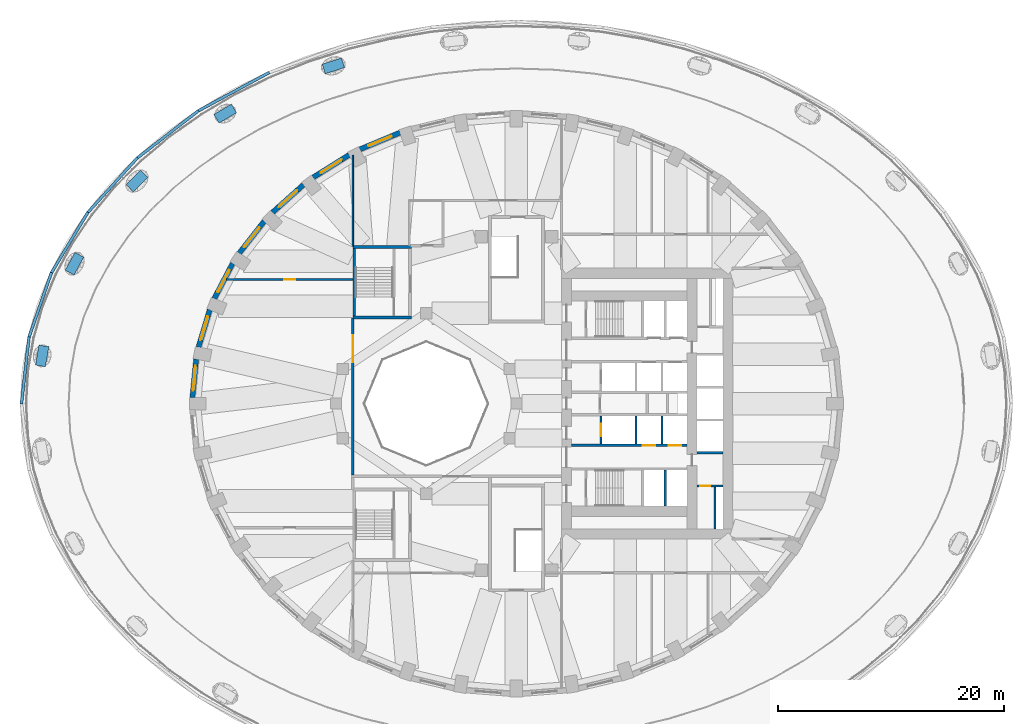
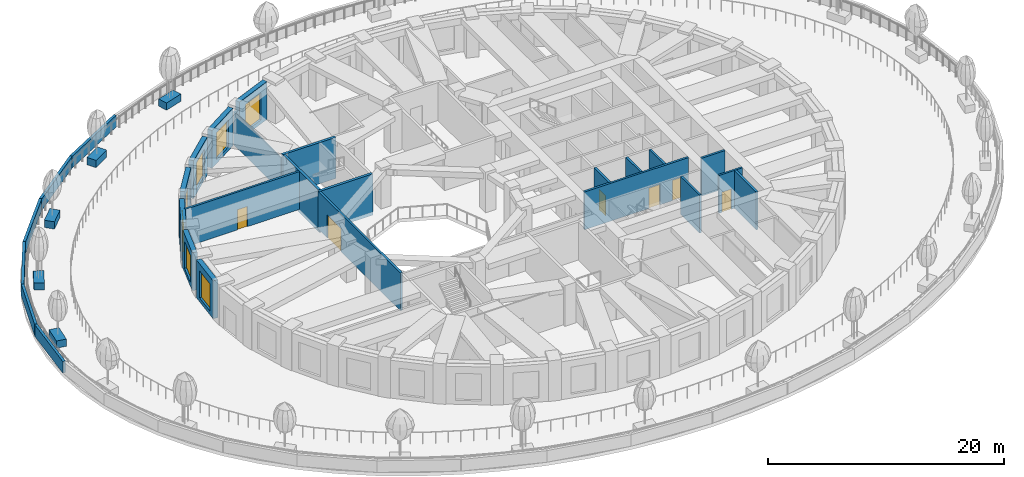
# One storey, part 5 of 17: 32 walls, 7 windows, 6 doors, 13 openings.
"""IFC4 building model written with IfcOpenShell, lengths in metres."""

from ifc_helpers import new_model, si_unit, direction, frame, frame_2d, origin, place, context, subcontext, project, spatial, rectangle, extrude, material, layer, layer_set, constituent, constituent_set, type_object, element, fill, save


model = new_model("IFC4")

# Units and contexts
model_context = context("Model", 3, precision=1e-05, world=origin(), true_north=direction((0.0, 1.0)))
body_context = subcontext(model_context, "Body", "Model", "MODEL_VIEW")
ifc_project = project(units=[si_unit("LENGTHUNIT", "METRE"), si_unit("AREAUNIT", "SQUARE_METRE"), si_unit("VOLUMEUNIT", "CUBIC_METRE"), si_unit("PLANEANGLEUNIT", "RADIAN"), si_unit("MASSUNIT", "GRAM", prefix="KILO")], contexts=[model_context])

# Site, building, storey
site_placement = place(None, origin())
site = spatial("IfcSite", under=ifc_project, at=site_placement, CompositionType="ELEMENT")
building_placement = place(site_placement, origin())
building = spatial("IfcBuilding", under=site, at=building_placement, Name="Taillehof Tower", CompositionType="ELEMENT")
storey_placement = place(building_placement, frame((0.0, 0.0, 17.5)))
storey = spatial("IfcBuildingStorey", under=building, at=storey_placement, Name="L03", CompositionType="ELEMENT", Elevation=17.5)

# Wall, opening, window
ifc_material_1 = material(Name="Brick masonry", Category="masonry")
ifc_layer_1 = layer(ifc_material_1, 0.449951171875)
ifc_layer_set_1 = layer_set([ifc_layer_1], Name="Brick infill wall 450")
wall_type_1 = type_object("IfcWallType", Name="Brick infill wall 450", PredefinedType="SOLIDWALL", material=ifc_layer_set_1)
wall_1_placement = place(storey_placement, frame((-10.3154296875, 24.02099609375, 0.0), z_axis=(0.0, 0.0, 1.0), x_axis=(-0.923031964282, -0.384723267966, 0.0)))
wall_1 = element("IfcWall", 1, at=wall_1_placement, inside=storey, type_object=wall_type_1, Name="Brick wall L03 bay 12", PredefinedType="SOLIDWALL", context=body_context, shape_type="SweptSolid", body=[
    extrude(rectangle(XDim=3.8564453125, YDim=0.449951171875, at=frame_2d((1.92822265625, 0.0))), origin(), (0.0, 0.0, 1.0), 3.919921875),
])
opening_1_placement = place(wall_1_placement, frame((0.828125, 0.0, 0.39990234375)))
opening_1 = element("IfcOpeningElement", 2, at=opening_1_placement, cuts=wall_1, Name="Opening W9", PredefinedType="OPENING", context=body_context, shape_type="SweptSolid", body=[
    extrude(rectangle(XDim=2.199951171875, YDim=2.800048828125, at=frame_2d((1.10009765625, 1.39990234375))), frame((0.0, 0.23486328125, 0.0), z_axis=(0.0, -1.0, 0.0), x_axis=(1.0, 0.0, 0.0)), (0.0, 0.0, 1.0), 0.469970703125),
])
ifc_material_2 = material(Name="Aluminium window frame with clear double glazing", Category="aluminium")
window_type = type_object("IfcWindowType", Name="Deep-set window 2200x2800", PartitioningType="SINGLE_PANEL", PredefinedType="WINDOW", material=ifc_material_2)
window_1_placement = place(opening_1_placement, origin())
window_1 = element("IfcWindow", 3, at=window_1_placement, inside=storey, type_object=window_type, Name="W9", OverallHeight=2.800048828125, OverallWidth=2.199951171875, PartitioningType="SINGLE_PANEL", PredefinedType="WINDOW", context=body_context, shape_type="SweptSolid", body=[
    extrude(rectangle(XDim=2.199951171875, YDim=2.800048828125, at=frame_2d((1.10009765625, 1.39990234375))), frame((0.0, 0.034912109375, 0.0), z_axis=(0.0, -1.0, 0.0), x_axis=(1.0, 0.0, 0.0)), (0.0, 0.0, 1.0), 0.06005859375),
])
fill(opening_1, window_1)

wall_2_placement = place(storey_placement, frame((-14.81689453125, 22.050537109375, 0.0), z_axis=(0.0, 0.0, 1.0), x_axis=(-0.847635480093, -0.530579016629, 0.0)))
wall_2 = element("IfcWall", 4, at=wall_2_placement, inside=storey, type_object=wall_type_1, Name="Brick wall L03 bay 13", PredefinedType="SOLIDWALL", context=body_context, shape_type="SweptSolid", body=[
    extrude(rectangle(XDim=3.782470703125, YDim=0.449951171875, at=frame_2d((1.89111328125, 0.0))), origin(), (0.0, 0.0, 1.0), 3.919921875),
])
opening_2_placement = place(wall_2_placement, frame((0.791259765625, 0.0, 0.39990234375)))
opening_2 = element("IfcOpeningElement", 5, at=opening_2_placement, cuts=wall_2, Name="Opening W9", PredefinedType="OPENING", context=body_context, shape_type="SweptSolid", body=[
    extrude(rectangle(XDim=2.199951171875, YDim=2.800048828125, at=frame_2d((1.10009765625, 1.39990234375))), frame((0.0, 0.23486328125, 0.0), z_axis=(0.0, -1.0, 0.0), x_axis=(1.0, 0.0, 0.0)), (0.0, 0.0, 1.0), 0.469970703125),
])
window_2_placement = place(opening_2_placement, origin())
window_2 = element("IfcWindow", 6, at=window_2_placement, inside=storey, type_object=window_type, Name="W9", OverallHeight=2.800048828125, OverallWidth=2.199951171875, PartitioningType="SINGLE_PANEL", PredefinedType="WINDOW", context=body_context, shape_type="SweptSolid", body=[
    extrude(rectangle(XDim=2.199951171875, YDim=2.800048828125, at=frame_2d((1.10009765625, 1.39990234375))), frame((0.0, 0.034912109375, 0.0), z_axis=(0.0, -1.0, 0.0), x_axis=(1.0, 0.0, 0.0)), (0.0, 0.0, 1.0), 0.06005859375),
])
fill(opening_2, window_2)

wall_3_placement = place(storey_placement, frame((-18.87060546875, 19.406982421875, 0.0), z_axis=(0.0, 0.0, 1.0), x_axis=(-0.745526233716, -0.66647628228, 0.0)))
wall_3 = element("IfcWall", 7, at=wall_3_placement, inside=storey, type_object=wall_type_1, Name="Brick wall L03 bay 14", PredefinedType="SOLIDWALL", context=body_context, shape_type="SweptSolid", body=[
    extrude(rectangle(XDim=3.69677734375, YDim=0.449951171875, at=frame_2d((1.848388671875, 0.0))), origin(), (0.0, 0.0, 1.0), 3.919921875),
])
opening_3_placement = place(wall_3_placement, frame((0.74853515625, 0.0, 0.39990234375)))
opening_3 = element("IfcOpeningElement", 8, at=opening_3_placement, cuts=wall_3, Name="Opening W9", PredefinedType="OPENING", context=body_context, shape_type="SweptSolid", body=[
    extrude(rectangle(XDim=2.199951171875, YDim=2.800048828125, at=frame_2d((1.10009765625, 1.39990234375))), frame((0.0, 0.23486328125, 0.0), z_axis=(0.0, -1.0, 0.0), x_axis=(1.0, 0.0, 0.0)), (0.0, 0.0, 1.0), 0.469970703125),
])
window_3_placement = place(opening_3_placement, origin())
window_3 = element("IfcWindow", 9, at=window_3_placement, inside=storey, type_object=window_type, Name="W9", OverallHeight=2.800048828125, OverallWidth=2.199951171875, PartitioningType="SINGLE_PANEL", PredefinedType="WINDOW", context=body_context, shape_type="SweptSolid", body=[
    extrude(rectangle(XDim=2.199951171875, YDim=2.800048828125, at=frame_2d((1.10009765625, 1.39990234375))), frame((0.0, 0.034912109375, 0.0), z_axis=(0.0, -1.0, 0.0), x_axis=(1.0, 0.0, 0.0)), (0.0, 0.0, 1.0), 0.06005859375),
])
fill(opening_3, window_3)

wall_4_placement = place(storey_placement, frame((-22.3515625, 16.169677734375, 0.0), z_axis=(0.0, 0.0, 1.0), x_axis=(-0.616661975264, -0.787228053529, 0.0)))
wall_4 = element("IfcWall", 10, at=wall_4_placement, inside=storey, type_object=wall_type_1, Name="Brick wall L03 bay 15", PredefinedType="SOLIDWALL", context=body_context, shape_type="SweptSolid", body=[
    extrude(rectangle(XDim=3.60986328125, YDim=0.449951171875, at=frame_2d((1.804931640625, 0.0))), origin(), (0.0, 0.0, 1.0), 3.919921875),
])
opening_4_placement = place(wall_4_placement, frame((0.704833984375, 0.0, 0.39990234375)))
opening_4 = element("IfcOpeningElement", 11, at=opening_4_placement, cuts=wall_4, Name="Opening W9", PredefinedType="OPENING", context=body_context, shape_type="SweptSolid", body=[
    extrude(rectangle(XDim=2.199951171875, YDim=2.800048828125, at=frame_2d((1.10009765625, 1.39990234375))), frame((0.0, 0.23486328125, 0.0), z_axis=(0.0, -1.0, 0.0), x_axis=(1.0, 0.0, 0.0)), (0.0, 0.0, 1.0), 0.469970703125),
])
window_4_placement = place(opening_4_placement, origin())
window_4 = element("IfcWindow", 12, at=window_4_placement, inside=storey, type_object=window_type, Name="W9", OverallHeight=2.800048828125, OverallWidth=2.199951171875, PartitioningType="SINGLE_PANEL", PredefinedType="WINDOW", context=body_context, shape_type="SweptSolid", body=[
    extrude(rectangle(XDim=2.199951171875, YDim=2.800048828125, at=frame_2d((1.10009765625, 1.39990234375))), frame((0.0, 0.034912109375, 0.0), z_axis=(0.0, -1.0, 0.0), x_axis=(1.0, 0.0, 0.0)), (0.0, 0.0, 1.0), 0.06005859375),
])
fill(opening_4, window_4)

wall_5_placement = place(storey_placement, frame((-25.152099609375, 12.436767578125, 0.0), z_axis=(0.0, 0.0, 1.0), x_axis=(-0.462492775226, -0.886623050041, 0.0)))
wall_5 = element("IfcWall", 13, at=wall_5_placement, inside=storey, type_object=wall_type_1, Name="Brick wall L03 bay 16", PredefinedType="SOLIDWALL", context=body_context, shape_type="SweptSolid", body=[
    extrude(rectangle(XDim=3.531982421875, YDim=0.449951171875, at=frame_2d((1.76611328125, 0.0))), origin(), (0.0, 0.0, 1.0), 3.919921875),
])
opening_5_placement = place(wall_5_placement, frame((0.666015625, 0.0, 0.39990234375)))
opening_5 = element("IfcOpeningElement", 14, at=opening_5_placement, cuts=wall_5, Name="Opening W9", PredefinedType="OPENING", context=body_context, shape_type="SweptSolid", body=[
    extrude(rectangle(XDim=2.199951171875, YDim=2.800048828125, at=frame_2d((1.10009765625, 1.39990234375))), frame((0.0, 0.23486328125, 0.0), z_axis=(0.0, -1.0, 0.0), x_axis=(1.0, 0.0, 0.0)), (0.0, 0.0, 1.0), 0.469970703125),
])
window_5_placement = place(opening_5_placement, origin())
window_5 = element("IfcWindow", 15, at=window_5_placement, inside=storey, type_object=window_type, Name="W9", OverallHeight=2.800048828125, OverallWidth=2.199951171875, PartitioningType="SINGLE_PANEL", PredefinedType="WINDOW", context=body_context, shape_type="SweptSolid", body=[
    extrude(rectangle(XDim=2.199951171875, YDim=2.800048828125, at=frame_2d((1.10009765625, 1.39990234375))), frame((0.0, 0.034912109375, 0.0), z_axis=(0.0, -1.0, 0.0), x_axis=(1.0, 0.0, 0.0)), (0.0, 0.0, 1.0), 0.06005859375),
])
fill(opening_5, window_5)

wall_6_placement = place(storey_placement, frame((-27.184814453125, 8.322998046875, 0.0), z_axis=(0.0, 0.0, 1.0), x_axis=(-0.287064133733, -0.957911364963, 0.0)))
wall_6 = element("IfcWall", 16, at=wall_6_placement, inside=storey, type_object=wall_type_1, Name="Brick wall L03 bay 17", PredefinedType="SOLIDWALL", context=body_context, shape_type="SweptSolid", body=[
    extrude(rectangle(XDim=3.473388671875, YDim=0.449951171875, at=frame_2d((1.73681640625, 0.0))), origin(), (0.0, 0.0, 1.0), 3.919921875),
])
opening_6_placement = place(wall_6_placement, frame((0.63671875, 0.0, 0.39990234375)))
opening_6 = element("IfcOpeningElement", 17, at=opening_6_placement, cuts=wall_6, Name="Opening W9", PredefinedType="OPENING", context=body_context, shape_type="SweptSolid", body=[
    extrude(rectangle(XDim=2.199951171875, YDim=2.800048828125, at=frame_2d((1.10009765625, 1.39990234375))), frame((0.0, 0.23486328125, 0.0), z_axis=(0.0, -1.0, 0.0), x_axis=(1.0, 0.0, 0.0)), (0.0, 0.0, 1.0), 0.469970703125),
])
window_6_placement = place(opening_6_placement, origin())
window_6 = element("IfcWindow", 18, at=window_6_placement, inside=storey, type_object=window_type, Name="W9", OverallHeight=2.800048828125, OverallWidth=2.199951171875, PartitioningType="SINGLE_PANEL", PredefinedType="WINDOW", context=body_context, shape_type="SweptSolid", body=[
    extrude(rectangle(XDim=2.199951171875, YDim=2.800048828125, at=frame_2d((1.10009765625, 1.39990234375))), frame((0.0, 0.034912109375, 0.0), z_axis=(0.0, -1.0, 0.0), x_axis=(1.0, 0.0, 0.0)), (0.0, 0.0, 1.0), 0.06005859375),
])
fill(opening_6, window_6)

wall_7_placement = place(storey_placement, frame((-28.38671875, 3.95556640625, 0.0), z_axis=(0.0, 0.0, 1.0), x_axis=(-0.097389581596, -0.995246336038, 0.0)))
wall_7 = element("IfcWall", 19, at=wall_7_placement, inside=storey, type_object=wall_type_1, Name="Brick wall L03 bay 18", PredefinedType="SOLIDWALL", context=body_context, shape_type="SweptSolid", body=[
    extrude(rectangle(XDim=3.44189453125, YDim=0.449951171875, at=frame_2d((1.720947265625, 0.0))), origin(), (0.0, 0.0, 1.0), 3.919921875),
])
opening_7_placement = place(wall_7_placement, frame((0.62109375, 0.0, 0.39990234375)))
opening_7 = element("IfcOpeningElement", 20, at=opening_7_placement, cuts=wall_7, Name="Opening W9", PredefinedType="OPENING", context=body_context, shape_type="SweptSolid", body=[
    extrude(rectangle(XDim=2.199951171875, YDim=2.800048828125, at=frame_2d((1.10009765625, 1.39990234375))), frame((0.0, 0.23486328125, 0.0), z_axis=(0.0, -1.0, 0.0), x_axis=(1.0, 0.0, 0.0)), (0.0, 0.0, 1.0), 0.469970703125),
])
window_7_placement = place(opening_7_placement, origin())
window_7 = element("IfcWindow", 21, at=window_7_placement, inside=storey, type_object=window_type, Name="W9", OverallHeight=2.800048828125, OverallWidth=2.199951171875, PartitioningType="SINGLE_PANEL", PredefinedType="WINDOW", context=body_context, shape_type="SweptSolid", body=[
    extrude(rectangle(XDim=2.199951171875, YDim=2.800048828125, at=frame_2d((1.10009765625, 1.39990234375))), frame((0.0, 0.034912109375, 0.0), z_axis=(0.0, -1.0, 0.0), x_axis=(1.0, 0.0, 0.0)), (0.0, 0.0, 1.0), 0.06005859375),
])
fill(opening_7, window_7)

# Wall, opening, door
ifc_material_3 = material(Name="Calcium silicate blockwork", Category="masonry")
ifc_layer_2 = layer(ifc_material_3, 0.199951171875)
ifc_layer_set_2 = layer_set([ifc_layer_2], Name="Compartment wall EI 60 200 mm")
wall_type_2 = type_object("IfcWallType", Name="Compartment wall EI 60 200 mm", PredefinedType="PARTITIONING", material=ifc_layer_set_2)
wall_8_placement = place(storey_placement, frame((-25.701904296875, 11.0, 0.0), z_axis=(0.0, 0.0, 1.0), x_axis=(1.0, 0.0, 0.0)))
wall_8 = element("IfcWall", 22, at=wall_8_placement, inside=storey, type_object=wall_type_2, Name="Wall L03-05 / L03-06", PredefinedType="PARTITIONING", context=body_context, shape_type="SweptSolid", body=[
    extrude(rectangle(XDim=11.203857421875, YDim=0.199951171875, at=frame_2d((5.60205078125, 0.0))), origin(), (0.0, 0.0, 1.0), 3.919921875),
])
opening_8_placement = place(wall_8_placement, frame((5.10205078125, 0.0, 0.0)))
opening_8 = element("IfcOpeningElement", 23, at=opening_8_placement, cuts=wall_8, Name="Opening D0351", PredefinedType="OPENING", context=body_context, shape_type="SweptSolid", body=[
    extrude(rectangle(XDim=1.0, YDim=2.10009765625, at=frame_2d((0.5, 1.050048828125))), frame((0.0, 0.10986328125, 0.0), z_axis=(0.0, -1.0, 0.0), x_axis=(1.0, 0.0, 0.0)), (0.0, 0.0, 1.0), 0.219970703125),
])
ifc_material_4 = material(Name="Hollow metal door set")
door_type_1 = type_object("IfcDoorType", Name="Single door 1000 x 2100 FD60S", OperationType="SINGLE_SWING_LEFT", PredefinedType="DOOR", material=ifc_material_4)
door_1_placement = place(opening_8_placement, origin())
door_1 = element("IfcDoor", 24, at=door_1_placement, inside=storey, type_object=door_type_1, Name="Door D0351", OperationType="SINGLE_SWING_RIGHT", OverallHeight=2.10009765625, OverallWidth=1.0, PredefinedType="DOOR", context=body_context, shape_type="SweptSolid", body=[
    extrude(rectangle(XDim=1.0, YDim=2.10009765625, at=frame_2d((0.5, 1.050048828125))), frame((0.0, 0.02490234375, 0.0), z_axis=(0.0, -1.0, 0.0), x_axis=(1.0, 0.0, 0.0)), (0.0, 0.0, 1.0), 0.050048828125),
])
fill(opening_8, door_1)

wall_9_placement = place(storey_placement, frame((-14.5, -6.35009765625, 0.0), z_axis=(0.0, 0.0, 1.0), x_axis=(0.0, 1.0, 0.0)))
wall_9 = element("IfcWall", 25, at=wall_9_placement, inside=storey, type_object=wall_type_2, Name="Wall L03-05 / L03-19", PredefinedType="PARTITIONING", context=body_context, shape_type="SweptSolid", body=[
    extrude(rectangle(XDim=13.9501953125, YDim=0.199951171875, at=frame_2d((6.97509765625, 0.0))), origin(), (0.0, 0.0, 1.0), 3.919921875),
])
opening_9_placement = place(wall_9_placement, frame((10.02490234375, 0.0, 0.0)))
opening_9 = element("IfcOpeningElement", 26, at=opening_9_placement, cuts=wall_9, Name="Opening D0350", PredefinedType="OPENING", context=body_context, shape_type="SweptSolid", body=[
    extrude(rectangle(XDim=2.39990234375, YDim=2.39990234375, at=frame_2d((1.199951171875, 1.199951171875))), frame((0.0, 0.10986328125, 0.0), z_axis=(0.0, -1.0, 0.0), x_axis=(1.0, 0.0, 0.0)), (0.0, 0.0, 1.0), 0.219970703125),
])
ifc_material_5 = material(Name="Glazed aluminium door set", Category="aluminium")
door_type_2 = type_object("IfcDoorType", Name="Glazed double door 2400 x 2400 FD60S", OperationType="DOUBLE_DOOR_SINGLE_SWING", PredefinedType="DOOR", material=ifc_material_5)
door_2_placement = place(opening_9_placement, origin())
door_2 = element("IfcDoor", 27, at=door_2_placement, inside=storey, type_object=door_type_2, Name="Door D0350", OperationType="DOUBLE_DOOR_SINGLE_SWING", OverallHeight=2.39990234375, OverallWidth=2.39990234375, PredefinedType="DOOR", context=body_context, shape_type="SweptSolid", body=[
    extrude(rectangle(XDim=2.39990234375, YDim=2.39990234375, at=frame_2d((1.199951171875, 1.199951171875))), frame((0.0, 0.02490234375, 0.0), z_axis=(0.0, -1.0, 0.0), x_axis=(1.0, 0.0, 0.0)), (0.0, 0.0, 1.0), 0.050048828125),
])
fill(opening_9, door_2)

ifc_material_6 = material(Name="Calcium silicate masonry", Category="masonry")
ifc_layer_3 = layer(ifc_material_6, 0.199951171875)
ifc_layer_set_3 = layer_set([ifc_layer_3], Name="Compartment wall calcium silicate 200")
wall_type_3 = type_object("IfcWallType", Name="Compartment wall calcium silicate 200", PredefinedType="PARTITIONING", material=ifc_layer_set_3)
wall_10_placement = place(storey_placement, frame((16.0, -7.300048828125, 0.0), z_axis=(0.0, 0.0, 1.0), x_axis=(1.0, 0.0, 0.0)))
wall_10 = element("IfcWall", 28, at=wall_10_placement, inside=storey, type_object=wall_type_3, Name="Compartment wall FW", PredefinedType="PARTITIONING", context=body_context, shape_type="SweptSolid", body=[
    extrude(rectangle(XDim=2.300048828125, YDim=0.199951171875, at=frame_2d((1.14990234375, 0.0))), origin(), (0.0, 0.0, 1.0), 3.919921875),
])
opening_10_placement = place(wall_10_placement, frame((0.300048828125, 0.0, 0.0)))
opening_10 = element("IfcOpeningElement", 29, at=opening_10_placement, cuts=wall_10, Name="Opening D0316", PredefinedType="OPENING", context=body_context, shape_type="SweptSolid", body=[
    extrude(rectangle(XDim=0.89990234375, YDim=2.10009765625, at=frame_2d((0.449951171875, 1.050048828125))), frame((0.0, 0.10986328125, 0.0), z_axis=(0.0, -1.0, 0.0), x_axis=(1.0, 0.0, 0.0)), (0.0, 0.0, 1.0), 0.219970703125),
])
ifc_material_7 = material(Name="Steel-faced fire door", Category="steel")
door_type_3 = type_object("IfcDoorType", Name="Riser and service room door 900x2100", OperationType="SINGLE_SWING_LEFT", PredefinedType="DOOR", material=ifc_material_7)
door_3_placement = place(opening_10_placement, origin())
door_3 = element("IfcDoor", 30, at=door_3_placement, inside=storey, type_object=door_type_3, Name="Door Waste Room", OperationType="SINGLE_SWING_LEFT", OverallHeight=2.10009765625, OverallWidth=0.89990234375, PredefinedType="DOOR", context=body_context, shape_type="SweptSolid", body=[
    extrude(rectangle(XDim=0.89990234375, YDim=2.10009765625, at=frame_2d((0.449951171875, 1.050048828125))), frame((0.0, 0.02490234375, 0.0), z_axis=(0.0, -1.0, 0.0), x_axis=(1.0, 0.0, 0.0)), (0.0, 0.0, 1.0), 0.050048828125),
])
fill(opening_10, door_3)

# Walls
wall_11_placement = place(storey_placement, frame((17.60009765625, -11.10009765625, 0.0), z_axis=(0.0, 0.0, 1.0), x_axis=(0.0, 1.0, 0.0)))
element("IfcWall", 31, at=wall_11_placement, inside=storey, type_object=wall_type_3, Name="Compartment wall FW", PredefinedType="PARTITIONING", context=body_context, shape_type="SweptSolid", body=[
    extrude(rectangle(XDim=3.7001953125, YDim=0.199951171875, at=frame_2d((1.85009765625, 0.0))), origin(), (0.0, 0.0, 1.0), 3.919921875),
])
ifc_material_8 = material(Name="Brick masonry", Category="masonry")
ifc_constituent_1 = constituent(ifc_material_8, Name="Wall", Category="masonry")
ifc_material_9 = material(Name="Concrete C30/37 precast", Category="concrete")
ifc_constituent_2 = constituent(ifc_material_9, Name="Coping", Category="concrete")
ifc_constituent_set_1 = constituent_set(constituents=[ifc_constituent_1, ifc_constituent_2], Name="Parapet 250")
wall_type_4 = type_object("IfcWallType", Name="Parapet 250", PredefinedType="PARAPET", material=ifc_constituent_set_1)
wall_12_placement = place(storey_placement, frame((-21.9140625, 29.34912109375, 0.0), z_axis=(0.0, 0.0, 1.0), x_axis=(-0.879522517586, -0.47585726963, 0.0)))
element("IfcWall", 32, at=wall_12_placement, inside=storey, type_object=wall_type_4, Name="Parapet 13", PredefinedType="PARAPET", context=body_context, shape_type="SweptSolid", body=[
    extrude(rectangle(XDim=7.203369140625, YDim=0.25, at=frame_2d((3.6015625, 0.0))), origin(), (0.0, 0.0, 1.0), 1.199951171875),
])
wall_13_placement = place(storey_placement, frame((-28.1826171875, 25.96484375, 0.0), z_axis=(0.0, 0.0, 1.0), x_axis=(-0.791289661017, -0.611441470926, 0.0)))
element("IfcWall", 33, at=wall_13_placement, inside=storey, type_object=wall_type_4, Name="Parapet 14", PredefinedType="PARAPET", context=body_context, shape_type="SweptSolid", body=[
    extrude(rectangle(XDim=6.91357421875, YDim=0.25, at=frame_2d((3.456787109375, 0.0))), origin(), (0.0, 0.0, 1.0), 1.199951171875),
])
wall_14_placement = place(storey_placement, frame((-33.59326171875, 21.793212890625, 0.0), z_axis=(0.0, 0.0, 1.0), x_axis=(-0.671466201745, -0.741035181293, 0.0)))
element("IfcWall", 34, at=wall_14_placement, inside=storey, type_object=wall_type_4, Name="Parapet 15", PredefinedType="PARAPET", context=body_context, shape_type="SweptSolid", body=[
    extrude(rectangle(XDim=6.611572265625, YDim=0.25, at=frame_2d((3.3056640625, 0.0))), origin(), (0.0, 0.0, 1.0), 1.199951171875),
])
wall_15_placement = place(storey_placement, frame((-37.982666015625, 16.961181640625, 0.0), z_axis=(0.0, 0.0, 1.0), x_axis=(-0.516642556981, -0.856201184486, 0.0)))
element("IfcWall", 35, at=wall_15_placement, inside=storey, type_object=wall_type_4, Name="Parapet 16", PredefinedType="PARAPET", context=body_context, shape_type="SweptSolid", body=[
    extrude(rectangle(XDim=6.333740234375, YDim=0.25, at=frame_2d((3.1669921875, 0.0))), origin(), (0.0, 0.0, 1.0), 1.199951171875),
])
wall_16_placement = place(storey_placement, frame((-41.218505859375, 11.6162109375, 0.0), z_axis=(0.0, 0.0, 1.0), x_axis=(-0.327635342702, -0.94480425603, 0.0)))
element("IfcWall", 36, at=wall_16_placement, inside=storey, type_object=wall_type_4, Name="Parapet 17", PredefinedType="PARAPET", context=body_context, shape_type="SweptSolid", body=[
    extrude(rectangle(XDim=6.119140625, YDim=0.25, at=frame_2d((3.0595703125, 0.0))), origin(), (0.0, 0.0, 1.0), 1.199951171875),
])
wall_17_placement = place(storey_placement, frame((-43.2041015625, 5.919921875, 0.0), z_axis=(0.0, 0.0, 1.0), x_axis=(-0.112471586398, -0.993654941241, 0.0)))
element("IfcWall", 37, at=wall_17_placement, inside=storey, type_object=wall_type_4, Name="Parapet 18", PredefinedType="PARAPET", context=body_context, shape_type="SweptSolid", body=[
    extrude(rectangle(XDim=6.001953125, YDim=0.25, at=frame_2d((3.0009765625, 0.0))), origin(), (0.0, 0.0, 1.0), 1.199951171875),
])
ifc_material_10 = material(Name="Gypsum board partition on steel studs", Category="steel")
ifc_layer_4 = layer(ifc_material_10, 0.125)
ifc_layer_set_4 = layer_set([ifc_layer_4], Name="Partition wall EI 30 125 mm")
wall_type_5 = type_object("IfcWallType", Name="Partition wall EI 30 125 mm", PredefinedType="PARTITIONING", material=ifc_layer_set_4)
wall_18_placement = place(storey_placement, frame((-14.5, 13.9375, 0.0), z_axis=(0.0, 0.0, 1.0), x_axis=(0.0, 1.0, 0.0)))
element("IfcWall", 38, at=wall_18_placement, inside=storey, type_object=wall_type_5, Name="Wall L03-04 / L03-06", PredefinedType="PARTITIONING", context=body_context, shape_type="SweptSolid", body=[
    extrude(rectangle(XDim=8.08935546875, YDim=0.125, at=frame_2d((4.044677734375, 0.0))), origin(), (0.0, 0.0, 1.0), 3.469970703125),
])

# Wall, openings, doors
ifc_material_11 = material(Name="Concrete C50/60", Category="concrete")
ifc_layer_5 = layer(ifc_material_11, 0.199951171875)
ifc_layer_set_5 = layer_set([ifc_layer_5], Name="Shaft wall C50/60 200")
wall_type_6 = type_object("IfcWallType", Name="Shaft wall C50/60 200", PredefinedType="SHEAR", material=ifc_layer_set_5)
wall_19_placement = place(storey_placement, frame((4.89990234375, -3.699951171875, 0.0), z_axis=(0.0, 0.0, 1.0), x_axis=(1.0, 0.0, 0.0)))
wall_19 = element("IfcWall", 39, at=wall_19_placement, inside=storey, type_object=wall_type_6, Name="Shaft wall SW", PredefinedType="SHEAR", context=body_context, shape_type="SweptSolid", body=[
    extrude(rectangle(XDim=10.2001953125, YDim=0.199951171875, at=frame_2d((5.10009765625, 0.0))), origin(), (0.0, 0.0, 1.0), 3.919921875),
])
opening_11_placement = place(wall_19_placement, frame((6.300048828125, 0.0, 0.0)))
opening_11 = element("IfcOpeningElement", 40, at=opening_11_placement, cuts=wall_19, Name="Opening LD1", PredefinedType="OPENING", context=body_context, shape_type="SweptSolid", body=[
    extrude(rectangle(XDim=1.10009765625, YDim=2.10009765625, at=frame_2d((0.550048828125, 1.050048828125))), frame((0.0, 0.10986328125, 0.0), z_axis=(0.0, -1.0, 0.0), x_axis=(1.0, 0.0, 0.0)), (0.0, 0.0, 1.0), 0.219970703125),
])
opening_12_placement = place(wall_19_placement, frame((8.60009765625, 0.0, 0.0)))
opening_12 = element("IfcOpeningElement", 41, at=opening_12_placement, cuts=wall_19, Name="Opening LD1", PredefinedType="OPENING", context=body_context, shape_type="SweptSolid", body=[
    extrude(rectangle(XDim=1.10009765625, YDim=2.10009765625, at=frame_2d((0.550048828125, 1.050048828125))), frame((0.0, 0.10986328125, 0.0), z_axis=(0.0, -1.0, 0.0), x_axis=(1.0, 0.0, 0.0)), (0.0, 0.0, 1.0), 0.219970703125),
])
ifc_material_12 = material(Name="Stainless steel", Category="steel")
door_type_4 = type_object("IfcDoorType", Name="Lift landing door LD1 1100x2100", OperationType="DOUBLE_DOOR_SLIDING", PredefinedType="DOOR", material=ifc_material_12)
door_4_placement = place(opening_11_placement, origin())
door_4 = element("IfcDoor", 42, at=door_4_placement, inside=storey, type_object=door_type_4, Name="Landing door LR5", OperationType="DOUBLE_DOOR_SLIDING", OverallHeight=2.10009765625, OverallWidth=1.10009765625, PredefinedType="DOOR", context=body_context, shape_type="SweptSolid", body=[
    extrude(rectangle(XDim=1.10009765625, YDim=2.10009765625, at=frame_2d((0.550048828125, 1.050048828125))), frame((0.0, 0.02490234375, 0.0), z_axis=(0.0, -1.0, 0.0), x_axis=(1.0, 0.0, 0.0)), (0.0, 0.0, 1.0), 0.050048828125),
])
fill(opening_11, door_4)
door_5_placement = place(opening_12_placement, origin())
door_5 = element("IfcDoor", 43, at=door_5_placement, inside=storey, type_object=door_type_4, Name="Landing door LR6", OperationType="DOUBLE_DOOR_SLIDING", OverallHeight=2.10009765625, OverallWidth=1.10009765625, PredefinedType="DOOR", context=body_context, shape_type="SweptSolid", body=[
    extrude(rectangle(XDim=1.10009765625, YDim=2.10009765625, at=frame_2d((0.550048828125, 1.050048828125))), frame((0.0, 0.02490234375, 0.0), z_axis=(0.0, -1.0, 0.0), x_axis=(1.0, 0.0, 0.0)), (0.0, 0.0, 1.0), 0.050048828125),
])
fill(opening_12, door_5)

# Wall
wall_20_placement = place(storey_placement, frame((13.199951171875, -9.10009765625, 0.0), z_axis=(0.0, 0.0, 1.0), x_axis=(0.0, 1.0, 0.0)))
element("IfcWall", 44, at=wall_20_placement, inside=storey, type_object=wall_type_6, Name="Shaft wall SW", PredefinedType="SHEAR", context=body_context, shape_type="SweptSolid", body=[
    extrude(rectangle(XDim=3.2001953125, YDim=0.199951171875, at=frame_2d((1.60009765625, 0.0))), origin(), (0.0, 0.0, 1.0), 3.919921875),
])

# Wall, opening, door
wall_21_placement = place(storey_placement, frame((7.5, -3.60009765625, 0.0), z_axis=(0.0, 0.0, 1.0), x_axis=(0.0, 1.0, 0.0)))
wall_21 = element("IfcWall", 45, at=wall_21_placement, inside=storey, type_object=wall_type_6, Name="Shaft wall SW", PredefinedType="SHEAR", context=body_context, shape_type="SweptSolid", body=[
    extrude(rectangle(XDim=2.5, YDim=0.199951171875, at=frame_2d((1.25, 0.0))), origin(), (0.0, 0.0, 1.0), 3.919921875),
])
opening_13_placement = place(wall_21_placement, frame((0.699951171875, 0.0, 0.0)))
opening_13 = element("IfcOpeningElement", 46, at=opening_13_placement, cuts=wall_21, Name="Opening LD1", PredefinedType="OPENING", context=body_context, shape_type="SweptSolid", body=[
    extrude(rectangle(XDim=1.10009765625, YDim=2.10009765625, at=frame_2d((0.550048828125, 1.050048828125))), frame((0.0, 0.10986328125, 0.0), z_axis=(0.0, -1.0, 0.0), x_axis=(1.0, 0.0, 0.0)), (0.0, 0.0, 1.0), 0.219970703125),
])
door_6_placement = place(opening_13_placement, origin())
door_6 = element("IfcDoor", 47, at=door_6_placement, inside=storey, type_object=door_type_4, Name="Landing door FF2", OperationType="DOUBLE_DOOR_SLIDING", OverallHeight=2.10009765625, OverallWidth=1.10009765625, PredefinedType="DOOR", context=body_context, shape_type="SweptSolid", body=[
    extrude(rectangle(XDim=1.10009765625, YDim=2.10009765625, at=frame_2d((0.550048828125, 1.050048828125))), frame((0.0, 0.02490234375, 0.0), z_axis=(0.0, -1.0, 0.0), x_axis=(1.0, 0.0, 0.0)), (0.0, 0.0, 1.0), 0.050048828125),
])
fill(opening_13, door_6)

# Walls
for number, where, z_axis, x_axis, name in (
    (48, (10.60009765625, -3.60009765625, 0.0), (0.0, 0.0, 1.0), (0.0, 1.0, 0.0), "Shaft wall SW"),
    (49, (12.89990234375, -3.60009765625, 0.0), (0.0, 0.0, 1.0), (0.0, 1.0, 0.0), "Shaft wall SW"),
):
    element("IfcWall", number, at=place(storey_placement, frame(where, z_axis=z_axis, x_axis=x_axis)), inside=storey, type_object=wall_type_6, Name=name, PredefinedType="SHEAR", context=body_context, shape_type="SweptSolid", body=[
        extrude(rectangle(XDim=2.5, YDim=0.199951171875, at=frame_2d((1.25, 0.0))), origin(), (0.0, 0.0, 1.0), 3.919921875),
    ])
wall_22_placement = place(storey_placement, frame((16.0, -4.35009765625, 0.0), z_axis=(0.0, 0.0, 1.0), x_axis=(1.0, 0.0, 0.0)))
element("IfcWall", 50, at=wall_22_placement, inside=storey, type_object=wall_type_6, Name="Shaft wall SW", PredefinedType="SHEAR", context=body_context, shape_type="SweptSolid", body=[
    extrude(rectangle(XDim=2.300048828125, YDim=0.199951171875, at=frame_2d((1.14990234375, 0.0))), origin(), (0.0, 0.0, 1.0), 3.919921875),
])
ifc_material_13 = material(Name="Concrete C50/60", Category="concrete")
ifc_layer_6 = layer(ifc_material_13, 0.25)
ifc_layer_set_6 = layer_set([ifc_layer_6], Name="Stair wall C50/60 250")
wall_type_7 = type_object("IfcWallType", Name="Stair wall C50/60 250", PredefinedType="SHEAR", material=ifc_layer_set_6)
wall_23_placement = place(storey_placement, frame((-14.375, 7.75, -0.35009765625), z_axis=(0.0, 0.0, 1.0), x_axis=(0.0, 1.0, 0.0)))
element("IfcWall", 51, at=wall_23_placement, inside=storey, type_object=wall_type_7, Name="Stair wall SC", PredefinedType="SHEAR", context=body_context, shape_type="SweptSolid", body=[
    extrude(rectangle(XDim=6.0, YDim=0.25, at=frame_2d((3.0, 0.0))), origin(), (0.0, 0.0, 1.0), 4.27001953125),
])
for number, where, z_axis, x_axis, name in (
    (52, (-14.5, 13.875, -0.35009765625), (0.0, 0.0, 1.0), (1.0, 0.0, 0.0), "Stair wall SC"),
    (53, (-14.5, 7.625, -0.35009765625), (0.0, 0.0, 1.0), (1.0, 0.0, 0.0), "Stair wall SC"),
):
    element("IfcWall", number, at=place(storey_placement, frame(where, z_axis=z_axis, x_axis=x_axis)), inside=storey, type_object=wall_type_7, Name=name, PredefinedType="SHEAR", context=body_context, shape_type="SweptSolid", body=[
        extrude(rectangle(XDim=5.199951171875, YDim=0.25, at=frame_2d((2.60009765625, 0.0))), origin(), (0.0, 0.0, 1.0), 4.27001953125),
    ])
ifc_material_14 = material(Name="Concrete C30/37 precast", Category="concrete")
ifc_constituent_3 = constituent(ifc_material_14, Name="Structure", Category="concrete")
ifc_material_15 = material(Name="Insulated lining")
ifc_constituent_4 = constituent(ifc_material_15, Name="Lining")
ifc_constituent_set_2 = constituent_set(constituents=[ifc_constituent_3, ifc_constituent_4], Name="Terrace planter 900x750")
wall_type_8 = type_object("IfcWallType", Name="Terrace planter 900x750", PredefinedType="USERDEFINED", material=ifc_constituent_set_2)
for number, where, z_axis, x_axis, name in (
    (54, (-15.36767578125, 30.205322265625, 0.0), (0.0, 0.0, 1.0), (-0.953375400582, -0.301786920799, 0.0), "Terrace planter 8"),
    (55, (-25.03515625, 26.159912109375, 0.0), (0.0, 0.0, 1.0), (-0.862655115123, -0.505792598159, 0.0), "Terrace planter 9"),
):
    element("IfcWall", number, at=place(storey_placement, frame(where, z_axis=z_axis, x_axis=x_axis)), inside=storey, type_object=wall_type_8, Name=name, ObjectType="PLANTER", PredefinedType="USERDEFINED", context=body_context, shape_type="SweptSolid", body=[
        extrude(rectangle(XDim=1.800048828125, YDim=0.89990234375, at=frame_2d((0.89990234375, 0.0))), origin(), (0.0, 0.0, 1.0), 0.75),
    ])
wall_24_placement = place(storey_placement, frame((-33.00048828125, 20.35888671875, 0.0), z_axis=(0.0, 0.0, 1.0), x_axis=(-0.708597276277, -0.705613137671, 0.0)))
element("IfcWall", 56, at=wall_24_placement, inside=storey, type_object=wall_type_8, Name="Terrace planter 10", ObjectType="PLANTER", PredefinedType="USERDEFINED", context=body_context, shape_type="SweptSolid", body=[
    extrude(rectangle(XDim=1.7998046875, YDim=0.89990234375, at=frame_2d((0.89990234375, 0.0))), origin(), (0.0, 0.0, 1.0), 0.75),
])
for number, where, z_axis, x_axis, name in (
    (57, (-38.74365234375, 13.190185546875, 0.0), (0.0, 0.0, 1.0), (-0.476484130097, -0.879183071815, 0.0), "Terrace planter 11"),
    (58, (-41.884521484375, 5.115966796875, 0.0), (0.0, 0.0, 1.0), (-0.169806995264, -0.985477338329, 0.0), "Terrace planter 12"),
):
    element("IfcWall", number, at=place(storey_placement, frame(where, z_axis=z_axis, x_axis=x_axis)), inside=storey, type_object=wall_type_8, Name=name, ObjectType="PLANTER", PredefinedType="USERDEFINED", context=body_context, shape_type="SweptSolid", body=[
        extrude(rectangle(XDim=1.800048828125, YDim=0.89990234375, at=frame_2d((0.89990234375, 0.0))), origin(), (0.0, 0.0, 1.0), 0.75),
    ])

save(model, "model.ifc")
